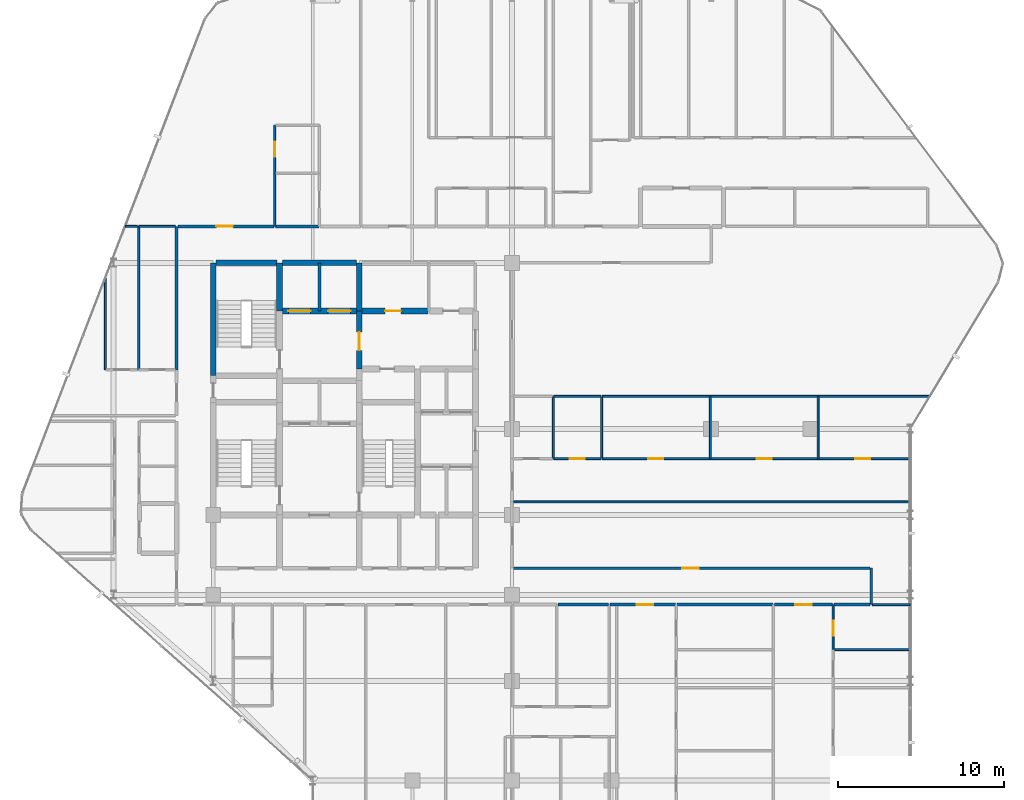
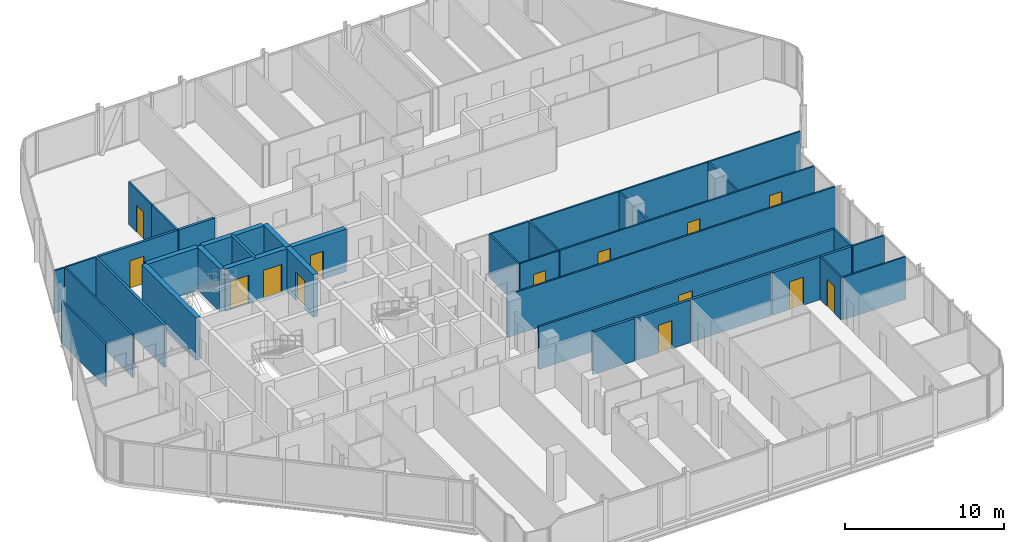
# One storey, part 28 of 31: 37 walls, 14 doors, 14 openings.
"""IFC4 building model written with IfcOpenShell, lengths in metres."""

from ifc_helpers import new_model, si_unit, direction, frame, frame_2d, origin, place, context, subcontext, project, spatial, rectangle, extrude, material, layer, layer_set, type_object, element, fill, save


model = new_model("IFC4")

# Units and contexts
model_context = context("Model", 3, precision=1e-05, world=origin(), true_north=direction((0.0, 1.0)))
body_context = subcontext(model_context, "Body", "Model", "MODEL_VIEW")
ifc_project = project(units=[si_unit("LENGTHUNIT", "METRE"), si_unit("AREAUNIT", "SQUARE_METRE"), si_unit("VOLUMEUNIT", "CUBIC_METRE"), si_unit("PLANEANGLEUNIT", "RADIAN"), si_unit("MASSUNIT", "GRAM", prefix="KILO")], contexts=[model_context])

# Site, building, storey
site_placement = place(None, origin())
site = spatial("IfcSite", under=ifc_project, at=site_placement, CompositionType="ELEMENT")
building_placement = place(site_placement, origin())
building = spatial("IfcBuilding", under=site, at=building_placement, Name="Keshet Zoharim Tower", CompositionType="ELEMENT")
storey_placement = place(building_placement, frame((0.0, 0.0, 155.699951171875)))
storey = spatial("IfcBuildingStorey", under=building, at=storey_placement, Name="L38", CompositionType="ELEMENT", Elevation=155.699951171875)

# Wall
ifc_material_1 = material(Name="Gypsum Plasterboard", Category="gypsum")
ifc_layer_1 = layer(ifc_material_1, 0.14990234375)
ifc_layer_set_1 = layer_set([ifc_layer_1], Name="Gypsum Plasterboard")
wall_type_1 = type_object("IfcWallType", Name="WL-CLIN-150", PredefinedType="STANDARD", material=ifc_layer_set_1)
wall_1_placement = place(storey_placement, frame((54.64990234375, 17.31005859375, 0.0), z_axis=(0.0, 0.0, 1.0), x_axis=(0.0, 1.0, 0.0)))
element("IfcWall", 1, at=wall_1_placement, inside=storey, type_object=wall_type_1, Name="L38 Interior Wall 106", PredefinedType="STANDARD", context=body_context, shape_type="SweptSolid", body=[
    extrude(rectangle(XDim=2.18994140625, YDim=0.14990234375, at=frame_2d((1.094970703125, 0.0))), origin(), (0.0, 0.0, 1.0), 3.280029296875),
])

# Wall, opening, door
wall_2_placement = place(storey_placement, frame((33.070068359375, 19.5, 0.0), z_axis=(0.0, 0.0, 1.0), x_axis=(1.0, 0.0, 0.0)))
wall_2 = element("IfcWall", 2, at=wall_2_placement, inside=storey, type_object=wall_type_1, Name="L38 Interior Wall 140", PredefinedType="STANDARD", context=body_context, shape_type="SweptSolid", body=[
    extrude(rectangle(XDim=21.510009765625, YDim=0.14990234375, at=frame_2d((10.7548828125, 0.0))), origin(), (0.0, 0.0, 1.0), 3.280029296875),
])
opening_1_placement = place(wall_2_placement, frame((10.18505859375, 0.0, 0.0)))
opening_1 = element("IfcOpeningElement", 3, at=opening_1_placement, cuts=wall_2, Name="Opening D-F310", PredefinedType="OPENING", context=body_context, shape_type="SweptSolid", body=[
    extrude(rectangle(XDim=1.0, YDim=2.14990234375, at=frame_2d((0.5, 1.074951171875))), frame((0.0, 0.0849609375, 0.0), z_axis=(0.0, -1.0, 0.0), x_axis=(1.0, 0.0, 0.0)), (0.0, 0.0, 1.0), 0.169921875),
])
ifc_material_2 = material(Name="Hardwood Timber", Category="wood")
door_type_1 = type_object("IfcDoorType", Name="DR-FD30-100", OperationType="NOTDEFINED", PredefinedType="DOOR", material=ifc_material_2)
door_1_placement = place(opening_1_placement, origin())
door_1 = element("IfcDoor", 4, at=door_1_placement, inside=storey, type_object=door_type_1, Name="L38 South East Residents Services Suite Door 1", OperationType="SINGLE_SWING_RIGHT", OverallHeight=2.14990234375, OverallWidth=1.0, PredefinedType="DOOR", context=body_context, shape_type="SweptSolid", body=[
    extrude(rectangle(XDim=1.0, YDim=2.14990234375, at=frame_2d((0.5, 1.074951171875))), frame((0.0, 0.02490234375, 0.0), z_axis=(0.0, -1.0, 0.0), x_axis=(1.0, 0.0, 0.0)), (0.0, 0.0, 1.0), 0.050048828125),
])
fill(opening_1, door_1)

# Walls
ifc_material_3 = material(Name="Concrete C60/75", Category="concrete")
ifc_layer_2 = layer(ifc_material_3, 0.35009765625)
ifc_layer_set_2 = layer_set([ifc_layer_2], Name="Concrete C60/75")
wall_type_2 = type_object("IfcWallType", Name="WL-CORE-350", PredefinedType="SHEAR", material=ifc_layer_set_2)
wall_3_placement = place(storey_placement, frame((15.0, 31.10009765625, 0.0), z_axis=(0.0, 0.0, 1.0), x_axis=(0.0, 1.0, 0.0)))
element("IfcWall", 5, at=wall_3_placement, inside=storey, type_object=wall_type_2, Name="L38 Core Shear Wall 016", PredefinedType="SHEAR", context=body_context, shape_type="SweptSolid", body=[
    extrude(rectangle(XDim=6.7998046875, YDim=0.35009765625, at=frame_2d((3.39990234375, 0.0))), origin(), (0.0, 0.0, 1.0), 3.280029296875),
])
wall_4_placement = place(storey_placement, frame((19.0, 35.0, 0.0), z_axis=(0.0, 0.0, 1.0), x_axis=(0.0, 1.0, 0.0)))
element("IfcWall", 6, at=wall_4_placement, inside=storey, type_object=wall_type_2, Name="L38 Core Shear Wall 027", PredefinedType="SHEAR", context=body_context, shape_type="SweptSolid", body=[
    extrude(rectangle(XDim=2.89990234375, YDim=0.35009765625, at=frame_2d((1.449951171875, 0.0))), origin(), (0.0, 0.0, 1.0), 3.280029296875),
])

# Wall, opening, door
wall_5_placement = place(storey_placement, frame((23.800048828125, 31.5, 0.0), z_axis=(0.0, 0.0, 1.0), x_axis=(0.0, 1.0, 0.0)))
wall_5 = element("IfcWall", 7, at=wall_5_placement, inside=storey, type_object=wall_type_2, Name="L38 Core Shear Wall 038", PredefinedType="SHEAR", context=body_context, shape_type="SweptSolid", body=[
    extrude(rectangle(XDim=3.5, YDim=0.35009765625, at=frame_2d((1.75, 0.0))), origin(), (0.0, 0.0, 1.0), 3.280029296875),
])
opening_2_placement = place(wall_5_placement, frame((1.126953125, 0.0, 0.0)))
opening_2 = element("IfcOpeningElement", 8, at=opening_2_placement, cuts=wall_5, Name="Opening D-F611", PredefinedType="OPENING", context=body_context, shape_type="SweptSolid", body=[
    extrude(rectangle(XDim=1.10009765625, YDim=2.14990234375, at=frame_2d((0.550048828125, 1.074951171875))), frame((0.0, 0.18505859375, 0.0), z_axis=(0.0, -1.0, 0.0), x_axis=(1.0, 0.0, 0.0)), (0.0, 0.0, 1.0), 0.3701171875),
])
door_type_2 = type_object("IfcDoorType", Name="DR-FD60-110", OperationType="NOTDEFINED", PredefinedType="DOOR", material=ifc_material_2)
door_2_placement = place(opening_2_placement, origin())
door_2 = element("IfcDoor", 9, at=door_2_placement, inside=storey, type_object=door_type_2, Name="L38 Firefighting Lobby Fire Door", OperationType="SINGLE_SWING_RIGHT", OverallHeight=2.14990234375, OverallWidth=1.10009765625, PredefinedType="DOOR", context=body_context, shape_type="SweptSolid", body=[
    extrude(rectangle(XDim=1.10009765625, YDim=2.14990234375, at=frame_2d((0.550048828125, 1.074951171875))), frame((0.0, 0.02490234375, 0.0), z_axis=(0.0, -1.0, 0.0), x_axis=(1.0, 0.0, 0.0)), (0.0, 0.0, 1.0), 0.050048828125),
])
fill(opening_2, door_2)

# Wall
wall_6_placement = place(storey_placement, frame((23.800048828125, 35.0, 0.0), z_axis=(0.0, 0.0, 1.0), x_axis=(0.0, 1.0, 0.0)))
element("IfcWall", 10, at=wall_6_placement, inside=storey, type_object=wall_type_2, Name="L38 Core Shear Wall 039", PredefinedType="SHEAR", context=body_context, shape_type="SweptSolid", body=[
    extrude(rectangle(XDim=2.89990234375, YDim=0.35009765625, at=frame_2d((1.449951171875, 0.0))), origin(), (0.0, 0.0, 1.0), 3.280029296875),
])

# Wall, openings, doors
wall_7_placement = place(storey_placement, frame((19.159912109375, 35.0, 0.0), z_axis=(0.0, 0.0, 1.0), x_axis=(1.0, 0.0, 0.0)))
wall_7 = element("IfcWall", 11, at=wall_7_placement, inside=storey, type_object=wall_type_2, Name="L38 Core Shear Wall 175", PredefinedType="SHEAR", context=body_context, shape_type="SweptSolid", body=[
    extrude(rectangle(XDim=4.47998046875, YDim=0.35009765625, at=frame_2d((2.239990234375, 0.0))), origin(), (0.0, 0.0, 1.0), 3.280029296875),
])
opening_3_placement = place(wall_7_placement, frame((0.364990234375, 0.0, 0.0)))
opening_3 = element("IfcOpeningElement", 12, at=opening_3_placement, cuts=wall_7, Name="Opening LD-02", PredefinedType="OPENING", context=body_context, shape_type="SweptSolid", body=[
    extrude(rectangle(XDim=1.35009765625, YDim=2.199951171875, at=frame_2d((0.675048828125, 1.10009765625))), frame((0.0, 0.18505859375, 0.0), z_axis=(0.0, -1.0, 0.0), x_axis=(1.0, 0.0, 0.0)), (0.0, 0.0, 1.0), 0.3701171875),
])
opening_4_placement = place(wall_7_placement, frame((2.764892578125, 0.0, 0.0)))
opening_4 = element("IfcOpeningElement", 13, at=opening_4_placement, cuts=wall_7, Name="Opening LD-02", PredefinedType="OPENING", context=body_context, shape_type="SweptSolid", body=[
    extrude(rectangle(XDim=1.35009765625, YDim=2.199951171875, at=frame_2d((0.675048828125, 1.10009765625))), frame((0.0, 0.18505859375, 0.0), z_axis=(0.0, -1.0, 0.0), x_axis=(1.0, 0.0, 0.0)), (0.0, 0.0, 1.0), 0.3701171875),
])
ifc_material_4 = material(Name="Steel S355", Category="steel")
door_type_3 = type_object("IfcDoorType", Name="DR-LD02-135", OperationType="DOUBLE_DOOR_SLIDING", PredefinedType="DOOR", material=ifc_material_4)
door_3_placement = place(opening_3_placement, origin())
door_3 = element("IfcDoor", 14, at=door_3_placement, inside=storey, type_object=door_type_3, Name="L38 Firefighting Lift Landing Door FF-01", OperationType="DOUBLE_DOOR_SLIDING", OverallHeight=2.199951171875, OverallWidth=1.35009765625, PredefinedType="DOOR", context=body_context, shape_type="SweptSolid", body=[
    extrude(rectangle(XDim=1.35009765625, YDim=2.199951171875, at=frame_2d((0.675048828125, 1.10009765625))), frame((0.0, 0.02490234375, 0.0), z_axis=(0.0, -1.0, 0.0), x_axis=(1.0, 0.0, 0.0)), (0.0, 0.0, 1.0), 0.050048828125),
])
fill(opening_3, door_3)
door_4_placement = place(opening_4_placement, origin())
door_4 = element("IfcDoor", 15, at=door_4_placement, inside=storey, type_object=door_type_3, Name="L38 Firefighting Lift Landing Door FF-02", OperationType="DOUBLE_DOOR_SLIDING", OverallHeight=2.199951171875, OverallWidth=1.35009765625, PredefinedType="DOOR", context=body_context, shape_type="SweptSolid", body=[
    extrude(rectangle(XDim=1.35009765625, YDim=2.199951171875, at=frame_2d((0.675048828125, 1.10009765625))), frame((0.0, 0.02490234375, 0.0), z_axis=(0.0, -1.0, 0.0), x_axis=(1.0, 0.0, 0.0)), (0.0, 0.0, 1.0), 0.050048828125),
])
fill(opening_4, door_4)

# Wall, opening, door
wall_8_placement = place(storey_placement, frame((23.9599609375, 35.0, 0.0), z_axis=(0.0, 0.0, 1.0), x_axis=(1.0, 0.0, 0.0)))
wall_8 = element("IfcWall", 16, at=wall_8_placement, inside=storey, type_object=wall_type_2, Name="L38 Core Shear Wall 176", PredefinedType="SHEAR", context=body_context, shape_type="SweptSolid", body=[
    extrude(rectangle(XDim=3.9951171875, YDim=0.35009765625, at=frame_2d((1.99755859375, 0.0))), origin(), (0.0, 0.0, 1.0), 3.280029296875),
])
opening_5_placement = place(wall_8_placement, frame((1.39306640625, 0.0, 0.0)))
opening_5 = element("IfcOpeningElement", 17, at=opening_5_placement, cuts=wall_8, Name="Opening D-F695", PredefinedType="OPENING", context=body_context, shape_type="SweptSolid", body=[
    extrude(rectangle(XDim=0.949951171875, YDim=2.14990234375, at=frame_2d((0.47509765625, 1.074951171875))), frame((0.0, 0.18505859375, 0.0), z_axis=(0.0, -1.0, 0.0), x_axis=(1.0, 0.0, 0.0)), (0.0, 0.0, 1.0), 0.3701171875),
])
door_type_4 = type_object("IfcDoorType", Name="DR-FD60-095", OperationType="NOTDEFINED", PredefinedType="DOOR", material=ifc_material_2)
door_5_placement = place(opening_5_placement, frame((0.949951171875, 0.0, 0.0), z_axis=(0.0, 0.0, 1.0), x_axis=(-1.0, 0.0, 0.0)))
door_5 = element("IfcDoor", 18, at=door_5_placement, inside=storey, type_object=door_type_4, Name="L38 Laundry Room Door", OperationType="SINGLE_SWING_RIGHT", OverallHeight=2.14990234375, OverallWidth=0.949951171875, PredefinedType="DOOR", context=body_context, shape_type="SweptSolid", body=[
    extrude(rectangle(XDim=0.949951171875, YDim=2.14990234375, at=frame_2d((0.47509765625, 1.074951171875))), frame((0.0, 0.02490234375, 0.0), z_axis=(0.0, -1.0, 0.0), x_axis=(1.0, 0.0, 0.0)), (0.0, 0.0, 1.0), 0.050048828125),
])
fill(opening_5, door_5)

# Walls
wall_9_placement = place(storey_placement, frame((15.159912109375, 37.89990234375, 0.0), z_axis=(0.0, 0.0, 1.0), x_axis=(1.0, 0.0, 0.0)))
element("IfcWall", 19, at=wall_9_placement, inside=storey, type_object=wall_type_2, Name="L38 Core Shear Wall 178", PredefinedType="SHEAR", context=body_context, shape_type="SweptSolid", body=[
    extrude(rectangle(XDim=3.68017578125, YDim=0.35009765625, at=frame_2d((1.840087890625, 0.0))), origin(), (0.0, 0.0, 1.0), 3.280029296875),
])
wall_10_placement = place(storey_placement, frame((19.159912109375, 37.89990234375, 0.0), z_axis=(0.0, 0.0, 1.0), x_axis=(1.0, 0.0, 0.0)))
element("IfcWall", 20, at=wall_10_placement, inside=storey, type_object=wall_type_2, Name="L38 Core Shear Wall 179", PredefinedType="SHEAR", context=body_context, shape_type="SweptSolid", body=[
    extrude(rectangle(XDim=4.47998046875, YDim=0.35009765625, at=frame_2d((2.239990234375, 0.0))), origin(), (0.0, 0.0, 1.0), 3.280029296875),
])
ifc_layer_3 = layer(ifc_material_1, 0.179931640625)
ifc_layer_set_3 = layer_set([ifc_layer_3], Name="Gypsum Plasterboard")
wall_type_3 = type_object("IfcWallType", Name="WL-CORR-180", PredefinedType="STANDARD", material=ifc_layer_set_3)
wall_11_placement = place(storey_placement, frame((12.800048828125, 31.449951171875, 0.0), z_axis=(0.0, 0.0, 1.0), x_axis=(0.0, 1.0, 0.0)))
element("IfcWall", 21, at=wall_11_placement, inside=storey, type_object=wall_type_3, Name="L38 Interior Wall 012", PredefinedType="STANDARD", context=body_context, shape_type="SweptSolid", body=[
    extrude(rectangle(XDim=8.650146484375, YDim=0.179931640625, at=frame_2d((4.3251953125, 0.0))), origin(), (0.0, 0.0, 1.0), 3.280029296875),
])
wall_12_placement = place(storey_placement, frame((35.762939453125, 17.300048828125, 0.0), z_axis=(0.0, 0.0, 1.0), x_axis=(1.0, 0.0, 0.0)))
element("IfcWall", 22, at=wall_12_placement, inside=storey, type_object=wall_type_3, Name="L38 Interior Wall 130", PredefinedType="STANDARD", context=body_context, shape_type="SweptSolid", body=[
    extrude(rectangle(XDim=3.0419921875, YDim=0.179931640625, at=frame_2d((1.52099609375, 0.0))), origin(), (0.0, 0.0, 1.0), 3.280029296875),
])

# Wall, opening, door
wall_13_placement = place(storey_placement, frame((38.89501953125, 17.300048828125, 0.0), z_axis=(0.0, 0.0, 1.0), x_axis=(1.0, 0.0, 0.0)))
wall_13 = element("IfcWall", 23, at=wall_13_placement, inside=storey, type_object=wall_type_3, Name="L38 Interior Wall 131", PredefinedType="STANDARD", context=body_context, shape_type="SweptSolid", body=[
    extrude(rectangle(XDim=3.9599609375, YDim=0.179931640625, at=frame_2d((1.97998046875, 0.0))), origin(), (0.0, 0.0, 1.0), 3.280029296875),
])
opening_6_placement = place(wall_13_placement, frame((1.60888671875, 0.0, 0.0)))
opening_6 = element("IfcOpeningElement", 24, at=opening_6_placement, cuts=wall_13, Name="Opening D-F310", PredefinedType="OPENING", context=body_context, shape_type="SweptSolid", body=[
    extrude(rectangle(XDim=1.0, YDim=2.14990234375, at=frame_2d((0.5, 1.074951171875))), frame((0.0, 0.10009765625, 0.0), z_axis=(0.0, -1.0, 0.0), x_axis=(1.0, 0.0, 0.0)), (0.0, 0.0, 1.0), 0.199951171875),
])
door_6_placement = place(opening_6_placement, origin())
door_6 = element("IfcDoor", 25, at=door_6_placement, inside=storey, type_object=door_type_1, Name="Apartment 3803 Entrance Door", OperationType="SINGLE_SWING_LEFT", OverallHeight=2.14990234375, OverallWidth=1.0, PredefinedType="DOOR", context=body_context, shape_type="SweptSolid", body=[
    extrude(rectangle(XDim=1.0, YDim=2.14990234375, at=frame_2d((0.5, 1.074951171875))), frame((0.0, 0.02490234375, 0.0), z_axis=(0.0, -1.0, 0.0), x_axis=(1.0, 0.0, 0.0)), (0.0, 0.0, 1.0), 0.050048828125),
])
fill(opening_6, door_6)

# Wall
wall_14_placement = place(storey_placement, frame((42.945068359375, 17.300048828125, 0.0), z_axis=(0.0, 0.0, 1.0), x_axis=(1.0, 0.0, 0.0)))
element("IfcWall", 26, at=wall_14_placement, inside=storey, type_object=wall_type_3, Name="L38 Interior Wall 132", PredefinedType="STANDARD", context=body_context, shape_type="SweptSolid", body=[
    extrude(rectangle(XDim=5.780029296875, YDim=0.179931640625, at=frame_2d((2.89013671875, 0.0))), origin(), (0.0, 0.0, 1.0), 3.280029296875),
])

# Wall, opening, door
wall_15_placement = place(storey_placement, frame((48.81494140625, 17.300048828125, 0.0), z_axis=(0.0, 0.0, 1.0), x_axis=(1.0, 0.0, 0.0)))
wall_15 = element("IfcWall", 27, at=wall_15_placement, inside=storey, type_object=wall_type_3, Name="L38 Interior Wall 133", PredefinedType="STANDARD", context=body_context, shape_type="SweptSolid", body=[
    extrude(rectangle(XDim=3.510009765625, YDim=0.179931640625, at=frame_2d((1.7548828125, 0.0))), origin(), (0.0, 0.0, 1.0), 3.280029296875),
])
opening_7_placement = place(wall_15_placement, frame((1.2548828125, 0.0, 0.0)))
opening_7 = element("IfcOpeningElement", 28, at=opening_7_placement, cuts=wall_15, Name="Opening D-F310", PredefinedType="OPENING", context=body_context, shape_type="SweptSolid", body=[
    extrude(rectangle(XDim=1.0, YDim=2.14990234375, at=frame_2d((0.5, 1.074951171875))), frame((0.0, 0.10009765625, 0.0), z_axis=(0.0, -1.0, 0.0), x_axis=(1.0, 0.0, 0.0)), (0.0, 0.0, 1.0), 0.199951171875),
])
door_7_placement = place(opening_7_placement, origin())
door_7 = element("IfcDoor", 29, at=door_7_placement, inside=storey, type_object=door_type_1, Name="Apartment 3804 Entrance Door", OperationType="SINGLE_SWING_RIGHT", OverallHeight=2.14990234375, OverallWidth=1.0, PredefinedType="DOOR", context=body_context, shape_type="SweptSolid", body=[
    extrude(rectangle(XDim=1.0, YDim=2.14990234375, at=frame_2d((0.5, 1.074951171875))), frame((0.0, 0.02490234375, 0.0), z_axis=(0.0, -1.0, 0.0), x_axis=(1.0, 0.0, 0.0)), (0.0, 0.0, 1.0), 0.050048828125),
])
fill(opening_7, door_7)

# Wall
wall_16_placement = place(storey_placement, frame((52.4150390625, 17.300048828125, 0.0), z_axis=(0.0, 0.0, 1.0), x_axis=(1.0, 0.0, 0.0)))
element("IfcWall", 30, at=wall_16_placement, inside=storey, type_object=wall_type_3, Name="L38 Interior Wall 134", PredefinedType="STANDARD", context=body_context, shape_type="SweptSolid", body=[
    extrude(rectangle(XDim=2.1650390625, YDim=0.179931640625, at=frame_2d((1.08251953125, 0.0))), origin(), (0.0, 0.0, 1.0), 3.280029296875),
])

# Wall, opening, door
wall_17_placement = place(storey_placement, frame((12.875, 40.10009765625, 0.0), z_axis=(0.0, 0.0, 1.0), x_axis=(1.0, 0.0, 0.0)))
wall_17 = element("IfcWall", 31, at=wall_17_placement, inside=storey, type_object=wall_type_3, Name="L38 Interior Wall 185", PredefinedType="STANDARD", context=body_context, shape_type="SweptSolid", body=[
    extrude(rectangle(XDim=5.800048828125, YDim=0.179931640625, at=frame_2d((2.89990234375, 0.0))), origin(), (0.0, 0.0, 1.0), 3.280029296875),
])
opening_8_placement = place(wall_17_placement, frame((2.31396484375, 0.0, 0.0)))
opening_8 = element("IfcOpeningElement", 32, at=opening_8_placement, cuts=wall_17, Name="Opening D-F310", PredefinedType="OPENING", context=body_context, shape_type="SweptSolid", body=[
    extrude(rectangle(XDim=1.0, YDim=2.14990234375, at=frame_2d((0.5, 1.074951171875))), frame((0.0, 0.10009765625, 0.0), z_axis=(0.0, -1.0, 0.0), x_axis=(1.0, 0.0, 0.0)), (0.0, 0.0, 1.0), 0.199951171875),
])
door_8_placement = place(opening_8_placement, origin())
door_8 = element("IfcDoor", 33, at=door_8_placement, inside=storey, type_object=door_type_1, Name="Apartment 3805 Entrance Door", OperationType="SINGLE_SWING_LEFT", OverallHeight=2.14990234375, OverallWidth=1.0, PredefinedType="DOOR", context=body_context, shape_type="SweptSolid", body=[
    extrude(rectangle(XDim=1.0, YDim=2.14990234375, at=frame_2d((0.5, 1.074951171875))), frame((0.0, 0.02490234375, 0.0), z_axis=(0.0, -1.0, 0.0), x_axis=(1.0, 0.0, 0.0)), (0.0, 0.0, 1.0), 0.050048828125),
])
fill(opening_8, door_8)

# Walls
wall_18_placement = place(storey_placement, frame((18.764892578125, 40.10009765625, 0.0), z_axis=(0.0, 0.0, 1.0), x_axis=(1.0, 0.0, 0.0)))
element("IfcWall", 34, at=wall_18_placement, inside=storey, type_object=wall_type_3, Name="L38 Interior Wall 186", PredefinedType="STANDARD", context=body_context, shape_type="SweptSolid", body=[
    extrude(rectangle(XDim=2.610107421875, YDim=0.179931640625, at=frame_2d((1.30517578125, 0.0))), origin(), (0.0, 0.0, 1.0), 3.280029296875),
])
ifc_material_5 = material(Name="Concrete C50/60", Category="concrete")
ifc_layer_4 = layer(ifc_material_5, 0.199951171875)
ifc_layer_set_4 = layer_set([ifc_layer_4], Name="Concrete C50/60")
wall_type_4 = type_object("IfcWallType", Name="WL-FIRE-200", PredefinedType="STANDARD", material=ifc_layer_set_4)
wall_19_placement = place(storey_placement, frame((21.39990234375, 35.0, 0.0), z_axis=(0.0, 0.0, 1.0), x_axis=(0.0, 1.0, 0.0)))
element("IfcWall", 35, at=wall_19_placement, inside=storey, type_object=wall_type_4, Name="L38 Interior Wall 030", PredefinedType="STANDARD", context=body_context, shape_type="SweptSolid", body=[
    extrude(rectangle(XDim=2.89990234375, YDim=0.199951171875, at=frame_2d((1.449951171875, 0.0))), origin(), (0.0, 0.0, 1.0), 3.280029296875),
])
ifc_layer_5 = layer(ifc_material_1, 0.1201171875)
ifc_layer_set_5 = layer_set([ifc_layer_5], Name="Gypsum Plasterboard")
wall_type_5 = type_object("IfcWallType", Name="WL-PART-120", PredefinedType="PARTITIONING", material=ifc_layer_set_5)
wall_20_placement = place(storey_placement, frame((8.5, 31.449951171875, 0.0), z_axis=(0.0, 0.0, 1.0), x_axis=(0.0, 1.0, 0.0)))
element("IfcWall", 36, at=wall_20_placement, inside=storey, type_object=wall_type_5, Name="L38 Interior Wall 001", PredefinedType="PARTITIONING", context=body_context, shape_type="SweptSolid", body=[
    extrude(rectangle(XDim=5.5400390625, YDim=0.1201171875, at=frame_2d((2.77001953125, 0.0))), origin(), (0.0, 0.0, 1.0), 3.280029296875),
])
wall_21_placement = place(storey_placement, frame((18.699951171875, 40.10009765625, 0.0), z_axis=(0.0, 0.0, 1.0), x_axis=(0.0, 1.0, 0.0)))
element("IfcWall", 37, at=wall_21_placement, inside=storey, type_object=wall_type_5, Name="L38 Interior Wall 021", PredefinedType="PARTITIONING", context=body_context, shape_type="SweptSolid", body=[
    extrude(rectangle(XDim=3.199951171875, YDim=0.1201171875, at=frame_2d((1.60009765625, 0.0))), origin(), (0.0, 0.0, 1.0), 3.280029296875),
])
for number, where, z_axis, x_axis, name in (
    (38, (44.949951171875, 26.1201171875, 0.0), (0.0, 0.0, 1.0), (0.0, 1.0, 0.0), "L38 Interior Wall 092"),
    (39, (51.449951171875, 26.1201171875, 0.0), (0.0, 0.0, 1.0), (0.0, 1.0, 0.0), "L38 Interior Wall 101"),
):
    element("IfcWall", number, at=place(storey_placement, frame(where, z_axis=z_axis, x_axis=x_axis)), inside=storey, type_object=wall_type_5, Name=name, PredefinedType="PARTITIONING", context=body_context, shape_type="SweptSolid", body=[
        extrude(rectangle(XDim=3.719970703125, YDim=0.1201171875, at=frame_2d((1.85986328125, 0.0))), origin(), (0.0, 0.0, 1.0), 3.280029296875),
    ])
wall_22_placement = place(storey_placement, frame((33.0849609375, 23.5, 0.0), z_axis=(0.0, 0.0, 1.0), x_axis=(1.0, 0.0, 0.0)))
element("IfcWall", 40, at=wall_22_placement, inside=storey, type_object=wall_type_5, Name="L38 Interior Wall 151", PredefinedType="PARTITIONING", context=body_context, shape_type="SweptSolid", body=[
    extrude(rectangle(XDim=23.905029296875, YDim=0.1201171875, at=frame_2d((11.95263671875, 0.0))), origin(), (0.0, 0.0, 1.0), 3.280029296875),
])

# Wall, openings, doors
wall_23_placement = place(storey_placement, frame((38.445068359375, 26.10009765625, 0.0), z_axis=(0.0, 0.0, 1.0), x_axis=(1.0, 0.0, 0.0)))
wall_23 = element("IfcWall", 41, at=wall_23_placement, inside=storey, type_object=wall_type_5, Name="L38 Interior Wall 157", PredefinedType="PARTITIONING", context=body_context, shape_type="SweptSolid", body=[
    extrude(rectangle(XDim=18.544921875, YDim=0.1201171875, at=frame_2d((9.2724609375, 0.0))), origin(), (0.0, 0.0, 1.0), 3.280029296875),
])
opening_9_placement = place(wall_23_placement, frame((2.77197265625, 0.0, 0.0)))
opening_9 = element("IfcOpeningElement", 42, at=opening_9_placement, cuts=wall_23, Name="Opening D-IN90", PredefinedType="OPENING", context=body_context, shape_type="SweptSolid", body=[
    extrude(rectangle(XDim=0.89990234375, YDim=2.14990234375, at=frame_2d((0.449951171875, 1.074951171875))), frame((0.0, 0.070068359375, 0.0), z_axis=(0.0, -1.0, 0.0), x_axis=(1.0, 0.0, 0.0)), (0.0, 0.0, 1.0), 0.14013671875),
])
opening_10_placement = place(wall_23_placement, frame((9.2939453125, 0.0, 0.0)))
opening_10 = element("IfcOpeningElement", 43, at=opening_10_placement, cuts=wall_23, Name="Opening D-IN90", PredefinedType="OPENING", context=body_context, shape_type="SweptSolid", body=[
    extrude(rectangle(XDim=0.89990234375, YDim=2.14990234375, at=frame_2d((0.449951171875, 1.074951171875))), frame((0.0, 0.070068359375, 0.0), z_axis=(0.0, -1.0, 0.0), x_axis=(1.0, 0.0, 0.0)), (0.0, 0.0, 1.0), 0.14013671875),
])
opening_11_placement = place(wall_23_placement, frame((15.2509765625, 0.0, 0.0)))
opening_11 = element("IfcOpeningElement", 44, at=opening_11_placement, cuts=wall_23, Name="Opening D-IN90", PredefinedType="OPENING", context=body_context, shape_type="SweptSolid", body=[
    extrude(rectangle(XDim=0.89990234375, YDim=2.14990234375, at=frame_2d((0.449951171875, 1.074951171875))), frame((0.0, 0.070068359375, 0.0), z_axis=(0.0, -1.0, 0.0), x_axis=(1.0, 0.0, 0.0)), (0.0, 0.0, 1.0), 0.14013671875),
])
door_type_5 = type_object("IfcDoorType", Name="DR-INT-090", OperationType="NOTDEFINED", PredefinedType="DOOR", material=ifc_material_2)
door_9_placement = place(opening_9_placement, origin())
door_9 = element("IfcDoor", 45, at=door_9_placement, inside=storey, type_object=door_type_5, Name="Apartment 3810 Bedroom 1 Door", OperationType="SINGLE_SWING_RIGHT", OverallHeight=2.14990234375, OverallWidth=0.89990234375, PredefinedType="DOOR", context=body_context, shape_type="SweptSolid", body=[
    extrude(rectangle(XDim=0.89990234375, YDim=2.14990234375, at=frame_2d((0.449951171875, 1.074951171875))), frame((0.0, 0.02490234375, 0.0), z_axis=(0.0, -1.0, 0.0), x_axis=(1.0, 0.0, 0.0)), (0.0, 0.0, 1.0), 0.050048828125),
])
fill(opening_9, door_9)
door_10_placement = place(opening_10_placement, origin())
door_10 = element("IfcDoor", 46, at=door_10_placement, inside=storey, type_object=door_type_5, Name="Apartment 3810 Bedroom 2 Door", OperationType="SINGLE_SWING_LEFT", OverallHeight=2.14990234375, OverallWidth=0.89990234375, PredefinedType="DOOR", context=body_context, shape_type="SweptSolid", body=[
    extrude(rectangle(XDim=0.89990234375, YDim=2.14990234375, at=frame_2d((0.449951171875, 1.074951171875))), frame((0.0, 0.02490234375, 0.0), z_axis=(0.0, -1.0, 0.0), x_axis=(1.0, 0.0, 0.0)), (0.0, 0.0, 1.0), 0.050048828125),
])
fill(opening_10, door_10)
door_11_placement = place(opening_11_placement, origin())
door_11 = element("IfcDoor", 47, at=door_11_placement, inside=storey, type_object=door_type_5, Name="Apartment 3810 Bedroom 3 Door", OperationType="SINGLE_SWING_RIGHT", OverallHeight=2.14990234375, OverallWidth=0.89990234375, PredefinedType="DOOR", context=body_context, shape_type="SweptSolid", body=[
    extrude(rectangle(XDim=0.89990234375, YDim=2.14990234375, at=frame_2d((0.449951171875, 1.074951171875))), frame((0.0, 0.02490234375, 0.0), z_axis=(0.0, -1.0, 0.0), x_axis=(1.0, 0.0, 0.0)), (0.0, 0.0, 1.0), 0.050048828125),
])
fill(opening_11, door_11)

# Walls
wall_24_placement = place(storey_placement, frame((38.445068359375, 29.85009765625, 0.0), z_axis=(0.0, 0.0, 1.0), x_axis=(1.0, 0.0, 0.0)))
element("IfcWall", 48, at=wall_24_placement, inside=storey, type_object=wall_type_5, Name="L38 Interior Wall 168", PredefinedType="PARTITIONING", context=body_context, shape_type="SweptSolid", body=[
    extrude(rectangle(XDim=19.71484375, YDim=0.1201171875, at=frame_2d((9.857421875, 0.0))), origin(), (0.0, 0.0, 1.0), 3.280029296875),
])
wall_25_placement = place(storey_placement, frame((9.701904296875, 40.10009765625, 0.0), z_axis=(0.0, 0.0, 1.0), x_axis=(1.0, 0.0, 0.0)))
element("IfcWall", 49, at=wall_25_placement, inside=storey, type_object=wall_type_5, Name="L38 Interior Wall 183", PredefinedType="PARTITIONING", context=body_context, shape_type="SweptSolid", body=[
    extrude(rectangle(XDim=0.731201171875, YDim=0.1201171875, at=frame_2d((0.36572265625, 0.0))), origin(), (0.0, 0.0, 1.0), 3.280029296875),
])
ifc_layer_6 = layer(ifc_material_1, 0.1201171875)
ifc_layer_set_6 = layer_set([ifc_layer_6], Name="Gypsum Plasterboard")
wall_type_6 = type_object("IfcWallType", Name="WL-WET-120", PredefinedType="PARTITIONING", material=ifc_layer_set_6)
wall_26_placement = place(storey_placement, frame((10.5, 31.449951171875, 0.0), z_axis=(0.0, 0.0, 1.0), x_axis=(0.0, 1.0, 0.0)))
element("IfcWall", 50, at=wall_26_placement, inside=storey, type_object=wall_type_6, Name="L38 Interior Wall 003", PredefinedType="PARTITIONING", context=body_context, shape_type="SweptSolid", body=[
    extrude(rectangle(XDim=8.650146484375, YDim=0.1201171875, at=frame_2d((4.3251953125, 0.0))), origin(), (0.0, 0.0, 1.0), 3.280029296875),
])

# Wall, opening, door
wall_27_placement = place(storey_placement, frame((18.699951171875, 43.300048828125, 0.0), z_axis=(0.0, 0.0, 1.0), x_axis=(0.0, 1.0, 0.0)))
wall_27 = element("IfcWall", 51, at=wall_27_placement, inside=storey, type_object=wall_type_6, Name="L38 Interior Wall 022", PredefinedType="PARTITIONING", context=body_context, shape_type="SweptSolid", body=[
    extrude(rectangle(XDim=2.89990234375, YDim=0.1201171875, at=frame_2d((1.449951171875, 0.0))), origin(), (0.0, 0.0, 1.0), 3.280029296875),
])
opening_12_placement = place(wall_27_placement, frame((1.0, 0.0, 0.0)))
opening_12 = element("IfcOpeningElement", 52, at=opening_12_placement, cuts=wall_27, Name="Opening D-WT90", PredefinedType="OPENING", context=body_context, shape_type="SweptSolid", body=[
    extrude(rectangle(XDim=0.89990234375, YDim=2.10009765625, at=frame_2d((0.449951171875, 1.050048828125))), frame((0.0, 0.070068359375, 0.0), z_axis=(0.0, -1.0, 0.0), x_axis=(1.0, 0.0, 0.0)), (0.0, 0.0, 1.0), 0.14013671875),
])
door_type_6 = type_object("IfcDoorType", Name="DR-WET-090", OperationType="NOTDEFINED", PredefinedType="DOOR", material=ifc_material_2)
door_12_placement = place(opening_12_placement, origin())
door_12 = element("IfcDoor", 53, at=door_12_placement, inside=storey, type_object=door_type_6, Name="Apartment 3805 Bathroom Door", OperationType="SINGLE_SWING_LEFT", OverallHeight=2.10009765625, OverallWidth=0.89990234375, PredefinedType="DOOR", context=body_context, shape_type="SweptSolid", body=[
    extrude(rectangle(XDim=0.89990234375, YDim=2.10009765625, at=frame_2d((0.449951171875, 1.050048828125))), frame((0.0, 0.02490234375, 0.0), z_axis=(0.0, -1.0, 0.0), x_axis=(1.0, 0.0, 0.0)), (0.0, 0.0, 1.0), 0.050048828125),
])
fill(opening_12, door_12)

# Walls
for number, where, z_axis, x_axis, name in (
    (54, (35.5, 26.1201171875, 0.0), (0.0, 0.0, 1.0), (0.0, 1.0, 0.0), "L38 Interior Wall 072"),
    (55, (38.39990234375, 26.1201171875, 0.0), (0.0, 0.0, 1.0), (0.0, 1.0, 0.0), "L38 Interior Wall 080"),
):
    element("IfcWall", number, at=place(storey_placement, frame(where, z_axis=z_axis, x_axis=x_axis)), inside=storey, type_object=wall_type_6, Name=name, PredefinedType="PARTITIONING", context=body_context, shape_type="SweptSolid", body=[
        extrude(rectangle(XDim=3.719970703125, YDim=0.1201171875, at=frame_2d((1.85986328125, 0.0))), origin(), (0.0, 0.0, 1.0), 3.280029296875),
    ])

# Wall, opening, door
wall_28_placement = place(storey_placement, frame((52.35009765625, 14.60009765625, 0.0), z_axis=(0.0, 0.0, 1.0), x_axis=(0.0, 1.0, 0.0)))
wall_28 = element("IfcWall", 56, at=wall_28_placement, inside=storey, type_object=wall_type_6, Name="L38 Interior Wall 105", PredefinedType="PARTITIONING", context=body_context, shape_type="SweptSolid", body=[
    extrude(rectangle(XDim=2.699951171875, YDim=0.1201171875, at=frame_2d((1.35009765625, 0.0))), origin(), (0.0, 0.0, 1.0), 3.280029296875),
])
opening_13_placement = place(wall_28_placement, frame((0.827880859375, 0.0, 0.0)))
opening_13 = element("IfcOpeningElement", 57, at=opening_13_placement, cuts=wall_28, Name="Opening D-WT90", PredefinedType="OPENING", context=body_context, shape_type="SweptSolid", body=[
    extrude(rectangle(XDim=0.89990234375, YDim=2.10009765625, at=frame_2d((0.449951171875, 1.050048828125))), frame((0.0, 0.070068359375, 0.0), z_axis=(0.0, -1.0, 0.0), x_axis=(1.0, 0.0, 0.0)), (0.0, 0.0, 1.0), 0.14013671875),
])
door_13_placement = place(opening_13_placement, origin())
door_13 = element("IfcDoor", 58, at=door_13_placement, inside=storey, type_object=door_type_6, Name="Apartment 3804 Bathroom Door", OperationType="SINGLE_SWING_RIGHT", OverallHeight=2.10009765625, OverallWidth=0.89990234375, PredefinedType="DOOR", context=body_context, shape_type="SweptSolid", body=[
    extrude(rectangle(XDim=0.89990234375, YDim=2.10009765625, at=frame_2d((0.449951171875, 1.050048828125))), frame((0.0, 0.02490234375, 0.0), z_axis=(0.0, -1.0, 0.0), x_axis=(1.0, 0.0, 0.0)), (0.0, 0.0, 1.0), 0.050048828125),
])
fill(opening_13, door_13)

# Walls
wall_29_placement = place(storey_placement, frame((52.4150390625, 14.60009765625, 0.0), z_axis=(0.0, 0.0, 1.0), x_axis=(1.0, 0.0, 0.0)))
element("IfcWall", 59, at=wall_29_placement, inside=storey, type_object=wall_type_6, Name="L38 Interior Wall 121", PredefinedType="PARTITIONING", context=body_context, shape_type="SweptSolid", body=[
    extrude(rectangle(XDim=4.574951171875, YDim=0.1201171875, at=frame_2d((2.28759765625, 0.0))), origin(), (0.0, 0.0, 1.0), 3.280029296875),
])
wall_30_placement = place(storey_placement, frame((54.7099609375, 17.300048828125, 0.0), z_axis=(0.0, 0.0, 1.0), x_axis=(1.0, 0.0, 0.0)))
element("IfcWall", 60, at=wall_30_placement, inside=storey, type_object=wall_type_6, Name="L38 Interior Wall 135", PredefinedType="PARTITIONING", context=body_context, shape_type="SweptSolid", body=[
    extrude(rectangle(XDim=2.280029296875, YDim=0.1201171875, at=frame_2d((1.14013671875, 0.0))), origin(), (0.0, 0.0, 1.0), 3.280029296875),
])

# Wall, opening, door
wall_31_placement = place(storey_placement, frame((35.529052734375, 26.10009765625, 0.0), z_axis=(0.0, 0.0, 1.0), x_axis=(1.0, 0.0, 0.0)))
wall_31 = element("IfcWall", 61, at=wall_31_placement, inside=storey, type_object=wall_type_6, Name="L38 Interior Wall 156", PredefinedType="PARTITIONING", context=body_context, shape_type="SweptSolid", body=[
    extrude(rectangle(XDim=2.825927734375, YDim=0.1201171875, at=frame_2d((1.4130859375, 0.0))), origin(), (0.0, 0.0, 1.0), 3.280029296875),
])
opening_14_placement = place(wall_31_placement, frame((0.962890625, 0.0, 0.0)))
opening_14 = element("IfcOpeningElement", 62, at=opening_14_placement, cuts=wall_31, Name="Opening D-WT90", PredefinedType="OPENING", context=body_context, shape_type="SweptSolid", body=[
    extrude(rectangle(XDim=0.89990234375, YDim=2.10009765625, at=frame_2d((0.449951171875, 1.050048828125))), frame((0.0, 0.070068359375, 0.0), z_axis=(0.0, -1.0, 0.0), x_axis=(1.0, 0.0, 0.0)), (0.0, 0.0, 1.0), 0.14013671875),
])
door_14_placement = place(opening_14_placement, origin())
door_14 = element("IfcDoor", 63, at=door_14_placement, inside=storey, type_object=door_type_6, Name="Apartment 3810 Bathroom Door", OperationType="SINGLE_SWING_LEFT", OverallHeight=2.10009765625, OverallWidth=0.89990234375, PredefinedType="DOOR", context=body_context, shape_type="SweptSolid", body=[
    extrude(rectangle(XDim=0.89990234375, YDim=2.10009765625, at=frame_2d((0.449951171875, 1.050048828125))), frame((0.0, 0.02490234375, 0.0), z_axis=(0.0, -1.0, 0.0), x_axis=(1.0, 0.0, 0.0)), (0.0, 0.0, 1.0), 0.050048828125),
])
fill(opening_14, door_14)

# Walls
wall_32_placement = place(storey_placement, frame((35.529052734375, 29.85009765625, 0.0), z_axis=(0.0, 0.0, 1.0), x_axis=(1.0, 0.0, 0.0)))
element("IfcWall", 64, at=wall_32_placement, inside=storey, type_object=wall_type_6, Name="L38 Interior Wall 167", PredefinedType="PARTITIONING", context=body_context, shape_type="SweptSolid", body=[
    extrude(rectangle(XDim=2.825927734375, YDim=0.1201171875, at=frame_2d((1.4130859375, 0.0))), origin(), (0.0, 0.0, 1.0), 3.280029296875),
])
wall_33_placement = place(storey_placement, frame((10.52294921875, 40.10009765625, 0.0), z_axis=(0.0, 0.0, 1.0), x_axis=(1.0, 0.0, 0.0)))
element("IfcWall", 65, at=wall_33_placement, inside=storey, type_object=wall_type_6, Name="L38 Interior Wall 184", PredefinedType="PARTITIONING", context=body_context, shape_type="SweptSolid", body=[
    extrude(rectangle(XDim=2.2021484375, YDim=0.1201171875, at=frame_2d((1.10107421875, 0.0))), origin(), (0.0, 0.0, 1.0), 3.280029296875),
])

save(model, "model.ifc")
